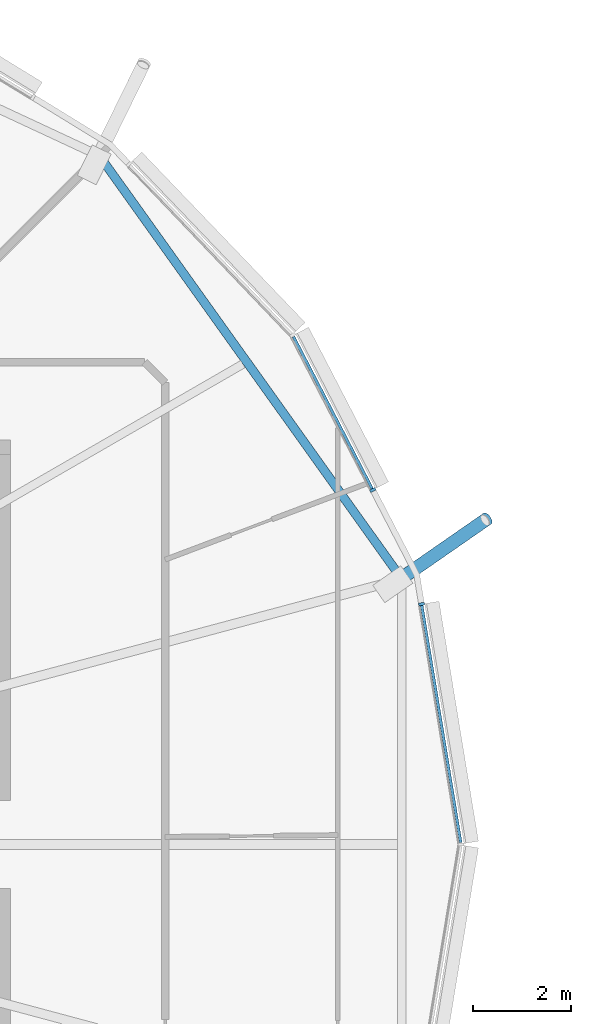
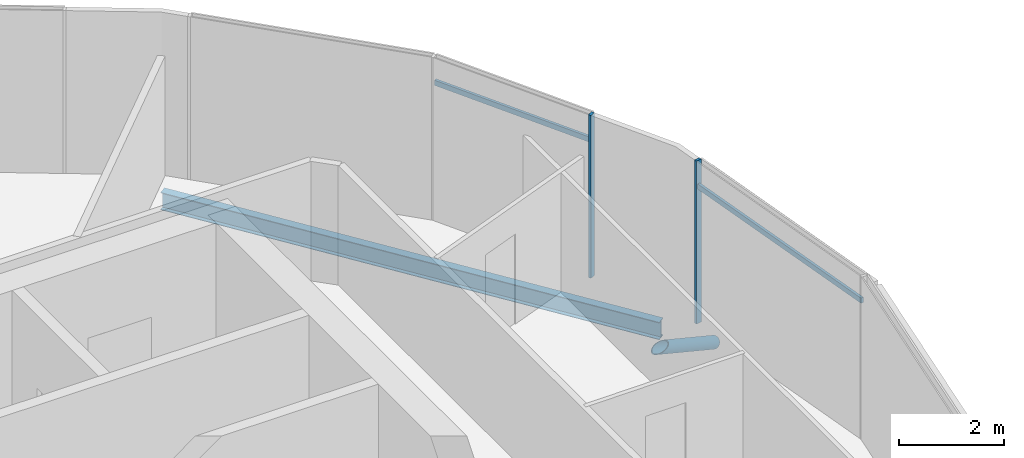
# One storey, part 7 of 35: 5 members, 1 beam, 1 element without a shape of its own.
"""IFC4 building model written with IfcOpenShell, lengths in metres."""

from ifc_helpers import new_model, si_unit, direction, frame, origin, origin_2d, place, context, subcontext, project, spatial, rectangle, hollow_circle, i_section, extrude, clip, halfspace, material, material_profile, profile_set, type_object, element, aggregate, save


model = new_model("IFC4")

# Units and contexts
model_context = context("Model", 3, precision=1e-05, world=origin(), true_north=direction((0.0, 1.0)))
body_context = subcontext(model_context, "Body", "Model", "MODEL_VIEW")
ifc_project = project(units=[si_unit("LENGTHUNIT", "METRE"), si_unit("AREAUNIT", "SQUARE_METRE"), si_unit("VOLUMEUNIT", "CUBIC_METRE"), si_unit("PLANEANGLEUNIT", "RADIAN"), si_unit("MASSUNIT", "GRAM", prefix="KILO")], contexts=[model_context])

# Site, building, storey
site_placement = place(None, origin())
site = spatial("IfcSite", under=ifc_project, at=site_placement, CompositionType="ELEMENT")
building_placement = place(site_placement, origin())
building = spatial("IfcBuilding", under=site, at=building_placement, Name="Rimbun Link Towers", CompositionType="ELEMENT")
storey_placement = place(building_placement, frame((0.0, 0.0, 196.89990234375)))
storey = spatial("IfcBuildingStorey", under=building, at=storey_placement, Name="L48", CompositionType="ELEMENT", Elevation=196.89990234375)

# Curtain wall, members
ifc_material_1 = material(Name="Aluminium 6063-T6 and low-iron glass", Category="aluminium")
curtain_wall_type = type_object("IfcCurtainWallType", Name="CW1-Z3 unitised vision wall (zone 3)", PredefinedType="NOTDEFINED", material=ifc_material_1)
curtain_wall_placement = place(storey_placement, origin())
curtain_wall = element("IfcCurtainWall", 1, at=curtain_wall_placement, inside=storey, type_object=curtain_wall_type, Name="CW1 L48 T1", PredefinedType="NOTDEFINED")
ifc_material_2 = material(Name="Aluminium 6063-T6", Category="aluminium")
ifc_material_profile_1 = material_profile(ifc_material_2, rectangle(XDim=0.1201171875, YDim=0.06005859375, at=origin_2d()), Name="MULLION 60X120")
ifc_profile_set_1 = profile_set([ifc_material_profile_1], Name="Aluminium 6063-T6")
member_type_1 = type_object("IfcMemberType", Name="CW1 mullion 60X120", PredefinedType="MULLION", material=ifc_profile_set_1)
member_1_placement = place(storey_placement, frame((-11.0166015625, 4.931396484375, 0.0), z_axis=(0.0, 0.0, 1.0), x_axis=(0.986749518868, 0.162251000037, 0.0)))
member_1 = element("IfcMember", 2, at=member_1_placement, type_object=member_type_1, Name="CW1 mullion", PredefinedType="MULLION", context=body_context, shape_type="SweptSolid", body=[
    extrude(rectangle(XDim=0.1201171875, YDim=0.06005859375, at=origin_2d()), origin(), (0.0, 0.0, 1.0), 3.800048828125),
])
member_2_placement = place(storey_placement, frame((-12.015869140625, 7.27294921875, 0.0), z_axis=(0.0, 0.0, 1.0), x_axis=(0.888144973035, 0.459563387219, 0.0)))
member_2 = element("IfcMember", 3, at=member_2_placement, type_object=member_type_1, Name="CW1 mullion", PredefinedType="MULLION", context=body_context, shape_type="SweptSolid", body=[
    extrude(rectangle(XDim=0.1201171875, YDim=0.06005859375, at=origin_2d()), origin(), (0.0, 0.0, 1.0), 3.800048828125),
])
ifc_material_3 = material(Name="Aluminium 6063-T6", Category="aluminium")
ifc_material_profile_2 = material_profile(ifc_material_3, rectangle(XDim=0.06005859375, YDim=0.1201171875, at=origin_2d()), Name="TRANSOM 60X120")
ifc_profile_set_2 = profile_set([ifc_material_profile_2], Name="Aluminium 6063-T6")
member_type_2 = type_object("IfcMemberType", Name="CW1 transom 60X120", PredefinedType="USERDEFINED", material=ifc_profile_set_2)
member_3_placement = place(storey_placement, frame((-11.013671875, 4.9013671875, 3.2001953125), z_axis=(0.162261450417, -0.986747800458, 0.0), x_axis=(0.986747800458, 0.162261450417, 0.0)))
member_3 = element("IfcMember", 4, at=member_3_placement, type_object=member_type_2, Name="CW1 transom", ObjectType="TRANSOM", PredefinedType="USERDEFINED", context=body_context, shape_type="SweptSolid", body=[
    extrude(rectangle(XDim=0.06005859375, YDim=0.1201171875, at=origin_2d()), origin(), (0.0, 0.0, 1.0), 4.927490234375),
])
member_4_placement = place(storey_placement, frame((-13.644287109375, 10.41552734375, 3.2001953125), z_axis=(0.45958189222, -0.888135397529, 0.0), x_axis=(0.888135397529, 0.45958189222, 0.0)))
member_4 = element("IfcMember", 5, at=member_4_placement, type_object=member_type_2, Name="CW1 transom", ObjectType="TRANSOM", PredefinedType="USERDEFINED", context=body_context, shape_type="SweptSolid", body=[
    extrude(rectangle(XDim=0.06005859375, YDim=0.1201171875, at=origin_2d()), origin(), (0.0, 0.0, 1.0), 3.50927734375),
])
aggregate(curtain_wall, [member_1, member_2, member_3, member_4])

# Member
ifc_material_4 = material(Name="Steel S355J2H", Category="steel")
ifc_material_profile_3 = material_profile(ifc_material_4, hollow_circle(Radius=0.136474609375, WallThickness=0.012451171875, at=origin_2d()), Name="CHS 273x12.5")
ifc_profile_set_3 = profile_set([ifc_material_profile_3], Name="Steel S355J2H")
member_type_3 = type_object("IfcMemberType", Name="Floor edge link CHS 273x12.5", PredefinedType="BRACE", material=ifc_profile_set_3)
member_5_placement = place(storey_placement, frame((-11.468505859375, 5.434326171875, -0.720703125), z_axis=(0.709658424053, 0.492337551647, -0.503972872691), x_axis=(-0.570020199736, 0.821630678525, 0.0)))
element("IfcMember", 6, at=member_5_placement, inside=storey, type_object=member_type_3, Name="Floor edge link T1 L48 01", PredefinedType="BRACE", context=body_context, shape_type="Clipping", body=[
    clip(extrude(hollow_circle(Radius=0.136474609375, WallThickness=0.012451171875, at=origin_2d()), frame((0.0, 0.0, -0.48779296875)), (0.0, 0.0, 1.0), 3.026611328125), halfspace(frame((0.0, 0.0, -0.22900390625), z_axis=(0.0, 0.863719482003, -0.503972872691)), False)),
])

# Beam
ifc_material_5 = material(Name="Steel S355J2", Category="steel")
ifc_material_profile_4 = material_profile(ifc_material_5, i_section(OverallWidth=0.177978515625, OverallDepth=0.406494140625, WebThickness=0.0078125, FlangeThickness=0.0126953125, at=origin_2d()), Name="UB 406x178x60")
ifc_profile_set_4 = profile_set([ifc_material_profile_4], Name="Steel S355J2")
beam_type = type_object("IfcBeamType", Name="UB 406x178x60", PredefinedType="BEAM", material=ifc_profile_set_4)
beam_placement = place(storey_placement, frame((-11.479736328125, 5.530517578125, -0.35302734375), z_axis=(-0.581460981446, 0.813574291049, 0.0), x_axis=(-0.813574291049, -0.581460981446, 0.0)))
element("IfcBeam", 7, at=beam_placement, inside=storey, type_object=beam_type, Name="Edge beam T1 L48 01-03", PredefinedType="BEAM", context=body_context, shape_type="SweptSolid", body=[
    extrude(i_section(OverallWidth=0.177978515625, OverallDepth=0.406494140625, WebThickness=0.0078125, FlangeThickness=0.0126953125, at=origin_2d()), origin(), (0.0, 0.0, 1.0), 10.46875),
])

save(model, "model.ifc")
